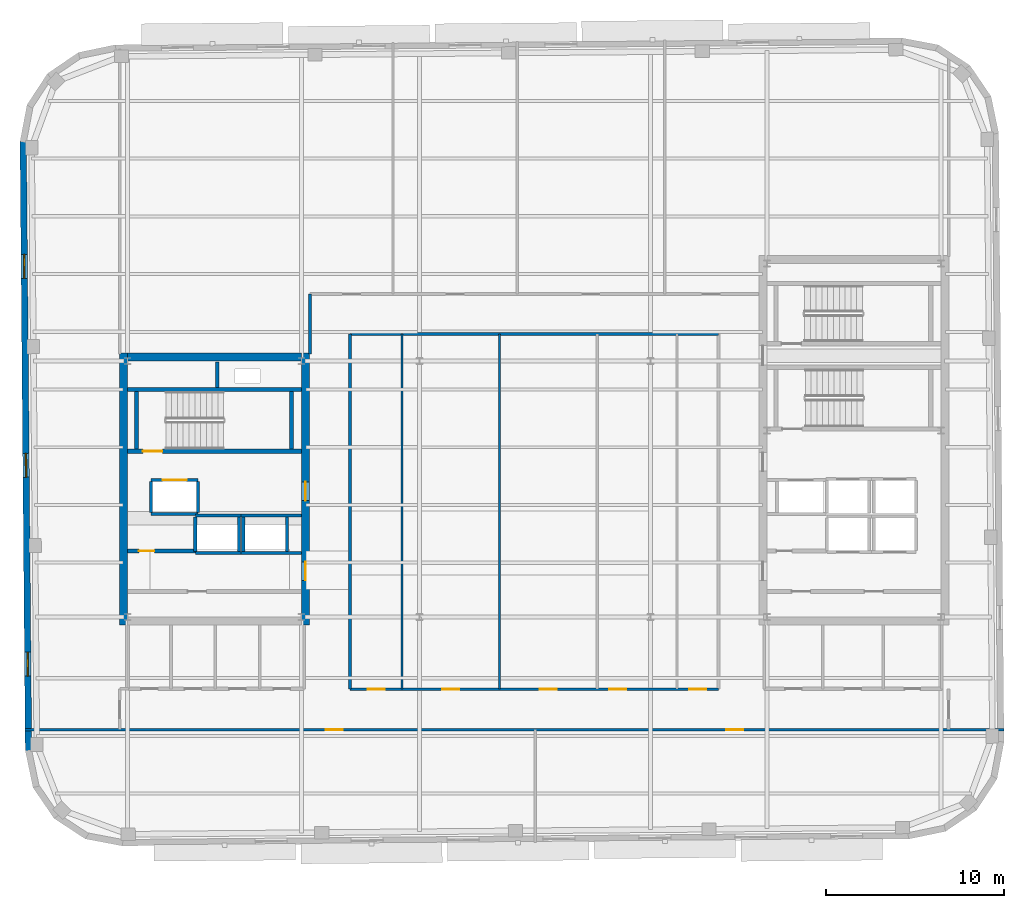
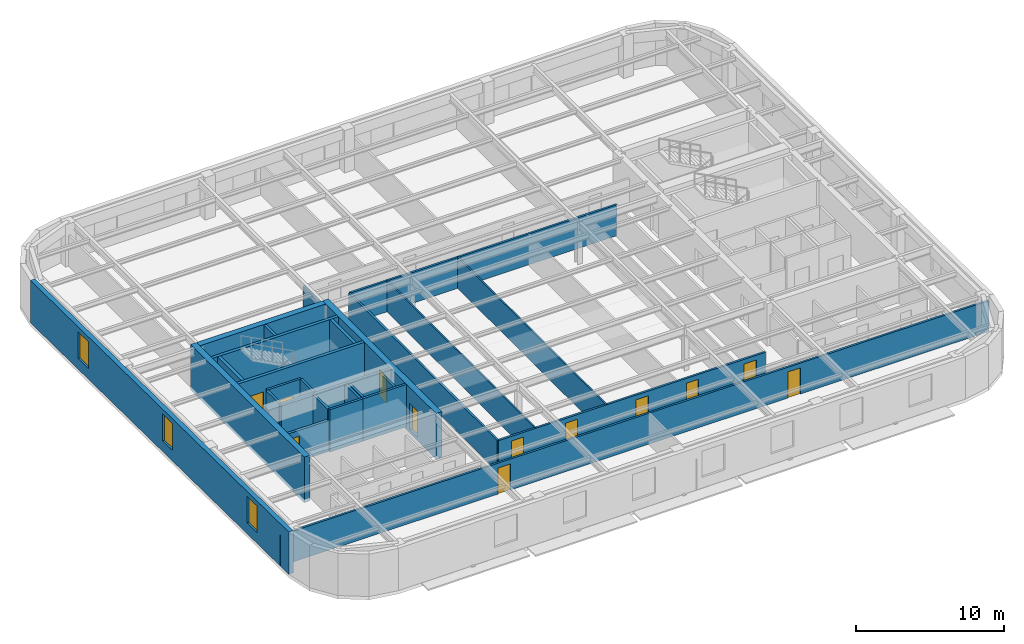
# One storey, part 7 of 14: 29 walls, 12 doors, 3 windows, 15 openings.
"""IFC4 building model written with IfcOpenShell, lengths in metres."""

from ifc_helpers import new_model, si_unit, direction, frame, frame_2d, origin, place, context, subcontext, project, spatial, rectangle, extrude, material, layer, layer_set, type_object, element, fill, save


model = new_model("IFC4")

# Units and contexts
model_context = context("Model", 3, precision=1e-05, world=origin(), true_north=direction((0.0, 1.0)))
body_context = subcontext(model_context, "Body", "Model", "MODEL_VIEW")
ifc_project = project(units=[si_unit("LENGTHUNIT", "METRE"), si_unit("AREAUNIT", "SQUARE_METRE"), si_unit("VOLUMEUNIT", "CUBIC_METRE"), si_unit("PLANEANGLEUNIT", "RADIAN"), si_unit("MASSUNIT", "GRAM", prefix="KILO")], contexts=[model_context])

# Site, building, storey
site_placement = place(None, origin())
site = spatial("IfcSite", under=ifc_project, at=site_placement, CompositionType="ELEMENT")
building_placement = place(site_placement, origin())
building = spatial("IfcBuilding", under=site, at=building_placement, Name="Kolvaren Arena Tower", CompositionType="ELEMENT")
storey_placement = place(building_placement, frame((0.0, 0.0, 297.39990234375)))
storey = spatial("IfcBuildingStorey", under=building, at=storey_placement, Name="L73", CompositionType="ELEMENT", Elevation=297.39990234375)

# Wall, openings, doors
ifc_material_1 = material(Name="Gypsum board acoustic assembly", Category="gypsum")
ifc_layer_1 = layer(ifc_material_1, 0.159912109375)
ifc_layer_set_1 = layer_set([ifc_layer_1], Name="Gypsum board acoustic assembly")
wall_type_1 = type_object("IfcWallType", Name="CORR-160", PredefinedType="PARTITIONING", material=ifc_layer_set_1)
wall_1_placement = place(storey_placement, frame((8.790283203125, 13.10009765625, 0.0), z_axis=(0.0, 0.0, 1.0), x_axis=(1.0, 0.0, 0.0)))
wall_1 = element("IfcWall", 1, at=wall_1_placement, inside=storey, type_object=wall_type_1, Name="Interior Partition Wall (L73)", PredefinedType="PARTITIONING", context=body_context, shape_type="SweptSolid", body=[
    extrude(rectangle(XDim=55.10205078125, YDim=0.159912109375, at=frame_2d((27.551025390625, 0.0))), origin(), (0.0, 0.0, 1.0), 2.5400390625),
])
opening_1_placement = place(wall_1_placement, frame((16.934814453125, 0.0, 0.0)))
opening_1 = element("IfcOpeningElement", 2, at=opening_1_placement, cuts=wall_1, Name="Opening D05", PredefinedType="OPENING", context=body_context, shape_type="SweptSolid", body=[
    extrude(rectangle(XDim=0.949951171875, YDim=2.14990234375, at=frame_2d((0.47509765625, 1.074951171875))), frame((0.0, 0.08984375, 0.0), z_axis=(0.0, -1.0, 0.0), x_axis=(1.0, 0.0, 0.0)), (0.0, 0.0, 1.0), 0.179931640625),
])
opening_2_placement = place(wall_1_placement, frame((39.484619140625, 0.0, 0.0)))
opening_2 = element("IfcOpeningElement", 3, at=opening_2_placement, cuts=wall_1, Name="Opening D05", PredefinedType="OPENING", context=body_context, shape_type="SweptSolid", body=[
    extrude(rectangle(XDim=0.949951171875, YDim=2.14990234375, at=frame_2d((0.47509765625, 1.074951171875))), frame((0.0, 0.08984375, 0.0), z_axis=(0.0, -1.0, 0.0), x_axis=(1.0, 0.0, 0.0)), (0.0, 0.0, 1.0), 0.179931640625),
])
ifc_material_2 = material(Name="Solid-core oak acoustic office door", Category="wood")
door_type_1 = type_object("IfcDoorType", Name="DOOR-OF-095", OperationType="NOTDEFINED", PredefinedType="DOOR", material=ifc_material_2)
door_1_placement = place(opening_1_placement, origin())
door_1 = element("IfcDoor", 4, at=door_1_placement, inside=storey, type_object=door_type_1, Name="Tenant Reception Area Door (L73)", OperationType="SINGLE_SWING_LEFT", OverallHeight=2.14990234375, OverallWidth=0.949951171875, PredefinedType="DOOR", context=body_context, shape_type="SweptSolid", body=[
    extrude(rectangle(XDim=0.949951171875, YDim=2.14990234375, at=frame_2d((0.47509765625, 1.074951171875))), frame((0.0, 0.02490234375, 0.0), z_axis=(0.0, -1.0, 0.0), x_axis=(1.0, 0.0, 0.0)), (0.0, 0.0, 1.0), 0.050048828125),
])
fill(opening_1, door_1)
door_2_placement = place(opening_2_placement, origin())
door_2 = element("IfcDoor", 5, at=door_2_placement, inside=storey, type_object=door_type_1, Name="Collaborative Work Studio Door (L73)", OperationType="SINGLE_SWING_RIGHT", OverallHeight=2.14990234375, OverallWidth=0.949951171875, PredefinedType="DOOR", context=body_context, shape_type="SweptSolid", body=[
    extrude(rectangle(XDim=0.949951171875, YDim=2.14990234375, at=frame_2d((0.47509765625, 1.074951171875))), frame((0.0, 0.02490234375, 0.0), z_axis=(0.0, -1.0, 0.0), x_axis=(1.0, 0.0, 0.0)), (0.0, 0.0, 1.0), 0.050048828125),
])
fill(opening_2, door_2)

# Wall
wall_2_placement = place(storey_placement, frame((24.820068359375, 34.25, 0.0), z_axis=(0.0, 0.0, 1.0), x_axis=(0.0, 1.0, 0.0)))
element("IfcWall", 6, at=wall_2_placement, inside=storey, type_object=wall_type_1, Name="Interior Partition Wall (L73)", PredefinedType="PARTITIONING", context=body_context, shape_type="SweptSolid", body=[
    extrude(rectangle(XDim=3.3701171875, YDim=0.159912109375, at=frame_2d((1.68505859375, 0.0))), origin(), (0.0, 0.0, 1.0), 2.5400390625),
])

# Wall, openings, doors
wall_3_placement = place(storey_placement, frame((27.080078125, 15.3798828125, 0.0), z_axis=(0.0, 0.0, 1.0), x_axis=(1.0, 0.0, 0.0)))
wall_3 = element("IfcWall", 7, at=wall_3_placement, inside=storey, type_object=wall_type_1, Name="Interior Partition Wall (L73)", PredefinedType="PARTITIONING", context=body_context, shape_type="SweptSolid", body=[
    extrude(rectangle(XDim=20.739990234375, YDim=0.159912109375, at=frame_2d((10.3701171875, 0.0))), origin(), (0.0, 0.0, 1.0), 2.5400390625),
])
opening_3_placement = place(wall_3_placement, frame((0.9951171875, 0.0, 0.0)))
opening_3 = element("IfcOpeningElement", 8, at=opening_3_placement, cuts=wall_3, Name="Opening D05", PredefinedType="OPENING", context=body_context, shape_type="SweptSolid", body=[
    extrude(rectangle(XDim=0.949951171875, YDim=2.14990234375, at=frame_2d((0.47509765625, 1.074951171875))), frame((0.0, 0.08984375, 0.0), z_axis=(0.0, -1.0, 0.0), x_axis=(1.0, 0.0, 0.0)), (0.0, 0.0, 1.0), 0.179931640625),
])
opening_4_placement = place(wall_3_placement, frame((5.195068359375, 0.0, 0.0)))
opening_4 = element("IfcOpeningElement", 9, at=opening_4_placement, cuts=wall_3, Name="Opening D05", PredefinedType="OPENING", context=body_context, shape_type="SweptSolid", body=[
    extrude(rectangle(XDim=0.949951171875, YDim=2.14990234375, at=frame_2d((0.47509765625, 1.074951171875))), frame((0.0, 0.08984375, 0.0), z_axis=(0.0, -1.0, 0.0), x_axis=(1.0, 0.0, 0.0)), (0.0, 0.0, 1.0), 0.179931640625),
])
opening_5_placement = place(wall_3_placement, frame((10.695068359375, 0.0, 0.0)))
opening_5 = element("IfcOpeningElement", 10, at=opening_5_placement, cuts=wall_3, Name="Opening D05", PredefinedType="OPENING", context=body_context, shape_type="SweptSolid", body=[
    extrude(rectangle(XDim=0.949951171875, YDim=2.14990234375, at=frame_2d((0.47509765625, 1.074951171875))), frame((0.0, 0.08984375, 0.0), z_axis=(0.0, -1.0, 0.0), x_axis=(1.0, 0.0, 0.0)), (0.0, 0.0, 1.0), 0.179931640625),
])
opening_6_placement = place(wall_3_placement, frame((14.594970703125, 0.0, 0.0)))
opening_6 = element("IfcOpeningElement", 11, at=opening_6_placement, cuts=wall_3, Name="Opening D05", PredefinedType="OPENING", context=body_context, shape_type="SweptSolid", body=[
    extrude(rectangle(XDim=0.949951171875, YDim=2.14990234375, at=frame_2d((0.47509765625, 1.074951171875))), frame((0.0, 0.08984375, 0.0), z_axis=(0.0, -1.0, 0.0), x_axis=(1.0, 0.0, 0.0)), (0.0, 0.0, 1.0), 0.179931640625),
])
opening_7_placement = place(wall_3_placement, frame((19.094970703125, 0.0, 0.0)))
opening_7 = element("IfcOpeningElement", 12, at=opening_7_placement, cuts=wall_3, Name="Opening D05", PredefinedType="OPENING", context=body_context, shape_type="SweptSolid", body=[
    extrude(rectangle(XDim=0.949951171875, YDim=2.14990234375, at=frame_2d((0.47509765625, 1.074951171875))), frame((0.0, 0.08984375, 0.0), z_axis=(0.0, -1.0, 0.0), x_axis=(1.0, 0.0, 0.0)), (0.0, 0.0, 1.0), 0.179931640625),
])
door_3_placement = place(opening_3_placement, origin())
door_3 = element("IfcDoor", 13, at=door_3_placement, inside=storey, type_object=door_type_1, Name="Tenant Reception Area Door (L73)", OperationType="SINGLE_SWING_LEFT", OverallHeight=2.14990234375, OverallWidth=0.949951171875, PredefinedType="DOOR", context=body_context, shape_type="SweptSolid", body=[
    extrude(rectangle(XDim=0.949951171875, YDim=2.14990234375, at=frame_2d((0.47509765625, 1.074951171875))), frame((0.0, 0.02490234375, 0.0), z_axis=(0.0, -1.0, 0.0), x_axis=(1.0, 0.0, 0.0)), (0.0, 0.0, 1.0), 0.050048828125),
])
fill(opening_3, door_3)
door_4_placement = place(opening_4_placement, origin())
door_4 = element("IfcDoor", 14, at=door_4_placement, inside=storey, type_object=door_type_1, Name="Collaborative Work Studio Door (L73)", OperationType="SINGLE_SWING_RIGHT", OverallHeight=2.14990234375, OverallWidth=0.949951171875, PredefinedType="DOOR", context=body_context, shape_type="SweptSolid", body=[
    extrude(rectangle(XDim=0.949951171875, YDim=2.14990234375, at=frame_2d((0.47509765625, 1.074951171875))), frame((0.0, 0.02490234375, 0.0), z_axis=(0.0, -1.0, 0.0), x_axis=(1.0, 0.0, 0.0)), (0.0, 0.0, 1.0), 0.050048828125),
])
fill(opening_4, door_4)
door_5_placement = place(opening_5_placement, origin())
door_5 = element("IfcDoor", 15, at=door_5_placement, inside=storey, type_object=door_type_1, Name="Open Plan Office Door (L73)", OperationType="SINGLE_SWING_LEFT", OverallHeight=2.14990234375, OverallWidth=0.949951171875, PredefinedType="DOOR", context=body_context, shape_type="SweptSolid", body=[
    extrude(rectangle(XDim=0.949951171875, YDim=2.14990234375, at=frame_2d((0.47509765625, 1.074951171875))), frame((0.0, 0.02490234375, 0.0), z_axis=(0.0, -1.0, 0.0), x_axis=(1.0, 0.0, 0.0)), (0.0, 0.0, 1.0), 0.050048828125),
])
fill(opening_5, door_5)
door_6_placement = place(opening_6_placement, origin())
door_6 = element("IfcDoor", 16, at=door_6_placement, inside=storey, type_object=door_type_1, Name="Wellness Room Door (L73)", OperationType="SINGLE_SWING_RIGHT", OverallHeight=2.14990234375, OverallWidth=0.949951171875, PredefinedType="DOOR", context=body_context, shape_type="SweptSolid", body=[
    extrude(rectangle(XDim=0.949951171875, YDim=2.14990234375, at=frame_2d((0.47509765625, 1.074951171875))), frame((0.0, 0.02490234375, 0.0), z_axis=(0.0, -1.0, 0.0), x_axis=(1.0, 0.0, 0.0)), (0.0, 0.0, 1.0), 0.050048828125),
])
fill(opening_6, door_6)
door_7_placement = place(opening_7_placement, origin())
door_7 = element("IfcDoor", 17, at=door_7_placement, inside=storey, type_object=door_type_1, Name="Boardroom Door (L73)", OperationType="SINGLE_SWING_LEFT", OverallHeight=2.14990234375, OverallWidth=0.949951171875, PredefinedType="DOOR", context=body_context, shape_type="SweptSolid", body=[
    extrude(rectangle(XDim=0.949951171875, YDim=2.14990234375, at=frame_2d((0.47509765625, 1.074951171875))), frame((0.0, 0.02490234375, 0.0), z_axis=(0.0, -1.0, 0.0), x_axis=(1.0, 0.0, 0.0)), (0.0, 0.0, 1.0), 0.050048828125),
])
fill(opening_7, door_7)

# Walls
wall_4_placement = place(storey_placement, frame((27.080078125, 35.3798828125, 0.0), z_axis=(0.0, 0.0, 1.0), x_axis=(1.0, 0.0, 0.0)))
element("IfcWall", 18, at=wall_4_placement, inside=storey, type_object=wall_type_1, Name="Interior Partition Wall (L73)", PredefinedType="PARTITIONING", context=body_context, shape_type="SweptSolid", body=[
    extrude(rectangle(XDim=20.739990234375, YDim=0.159912109375, at=frame_2d((10.3701171875, 0.0))), origin(), (0.0, 0.0, 1.0), 2.5400390625),
])
wall_5_placement = place(storey_placement, frame((27.080078125, 15.3798828125, 0.0), z_axis=(0.0, 0.0, 1.0), x_axis=(0.0, 1.0, 0.0)))
element("IfcWall", 19, at=wall_5_placement, inside=storey, type_object=wall_type_1, Name="Interior Partition Wall (L73)", PredefinedType="PARTITIONING", context=body_context, shape_type="SweptSolid", body=[
    extrude(rectangle(XDim=20.0, YDim=0.159912109375, at=frame_2d((10.0, 0.0))), origin(), (0.0, 0.0, 1.0), 2.5400390625),
])
ifc_material_3 = material(Name="Concrete 55 MPa", Category="concrete")
ifc_layer_2 = layer(ifc_material_3, 0.449951171875)
ifc_layer_set_2 = layer_set([ifc_layer_2], Name="Concrete 55 MPa")
wall_type_2 = type_object("IfcWallType", Name="CWALL-450", PredefinedType="SHEAR", material=ifc_layer_set_2)
wall_6_placement = place(storey_placement, frame((14.324951171875, 19.0, -0.27001953125), z_axis=(0.0, 0.0, 1.0), x_axis=(0.0, 1.0, 0.0)))
element("IfcWall", 20, at=wall_6_placement, inside=storey, type_object=wall_type_2, Name="Core Shear Wall WC-WEST (L73)", PredefinedType="SHEAR", context=body_context, shape_type="SweptSolid", body=[
    extrude(rectangle(XDim=15.300048828125, YDim=0.449951171875, at=frame_2d((7.64990234375, 0.0))), origin(), (0.0, 0.0, 1.0), 3.75),
])

# Wall, openings, doors
wall_7_placement = place(storey_placement, frame((24.574951171875, 19.0, -0.27001953125), z_axis=(0.0, 0.0, 1.0), x_axis=(0.0, 1.0, 0.0)))
wall_7 = element("IfcWall", 21, at=wall_7_placement, inside=storey, type_object=wall_type_2, Name="Core Shear Wall WC-EAST (L73)", PredefinedType="SHEAR", context=body_context, shape_type="SweptSolid", body=[
    extrude(rectangle(XDim=15.300048828125, YDim=0.449951171875, at=frame_2d((7.64990234375, 0.0))), origin(), (0.0, 0.0, 1.0), 3.75),
])
opening_8_placement = place(wall_7_placement, frame((2.5, 0.0, 0.27001953125)))
opening_8 = element("IfcOpeningElement", 22, at=opening_8_placement, cuts=wall_7, Name="Opening D04", PredefinedType="OPENING", context=body_context, shape_type="SweptSolid", body=[
    extrude(rectangle(XDim=1.050048828125, YDim=2.14990234375, at=frame_2d((0.52490234375, 1.074951171875))), frame((0.0, 0.23486328125, 0.0), z_axis=(0.0, -1.0, 0.0), x_axis=(1.0, 0.0, 0.0)), (0.0, 0.0, 1.0), 0.469970703125),
])
opening_9_placement = place(wall_7_placement, frame((7.0, 0.0, 0.27001953125)))
opening_9 = element("IfcOpeningElement", 23, at=opening_9_placement, cuts=wall_7, Name="Opening D04", PredefinedType="OPENING", context=body_context, shape_type="SweptSolid", body=[
    extrude(rectangle(XDim=1.050048828125, YDim=2.14990234375, at=frame_2d((0.52490234375, 1.074951171875))), frame((0.0, 0.23486328125, 0.0), z_axis=(0.0, -1.0, 0.0), x_axis=(1.0, 0.0, 0.0)), (0.0, 0.0, 1.0), 0.469970703125),
])
ifc_material_4 = material(Name="Fire-rated steel lobby door", Category="steel")
door_type_2 = type_object("IfcDoorType", Name="DOOR-FF-105", OperationType="NOTDEFINED", PredefinedType="DOOR", material=ifc_material_4)
door_8_placement = place(opening_8_placement, origin())
door_8 = element("IfcDoor", 24, at=door_8_placement, inside=storey, type_object=door_type_2, Name="West Lift Lobby Fire Door (L73)", OperationType="SINGLE_SWING_LEFT", OverallHeight=2.14990234375, OverallWidth=1.050048828125, PredefinedType="DOOR", context=body_context, shape_type="SweptSolid", body=[
    extrude(rectangle(XDim=1.050048828125, YDim=2.14990234375, at=frame_2d((0.52490234375, 1.074951171875))), frame((0.0, 0.02490234375, 0.0), z_axis=(0.0, -1.0, 0.0), x_axis=(1.0, 0.0, 0.0)), (0.0, 0.0, 1.0), 0.050048828125),
])
fill(opening_8, door_8)
door_9_placement = place(opening_9_placement, origin())
door_9 = element("IfcDoor", 25, at=door_9_placement, inside=storey, type_object=door_type_2, Name="West Firefighter Vestibule Door (L73)", OperationType="SINGLE_SWING_RIGHT", OverallHeight=2.14990234375, OverallWidth=1.050048828125, PredefinedType="DOOR", context=body_context, shape_type="SweptSolid", body=[
    extrude(rectangle(XDim=1.050048828125, YDim=2.14990234375, at=frame_2d((0.52490234375, 1.074951171875))), frame((0.0, 0.02490234375, 0.0), z_axis=(0.0, -1.0, 0.0), x_axis=(1.0, 0.0, 0.0)), (0.0, 0.0, 1.0), 0.050048828125),
])
fill(opening_9, door_9)

# Wall
wall_8_placement = place(storey_placement, frame((14.550048828125, 34.074951171875, -0.27001953125), z_axis=(0.0, 0.0, 1.0), x_axis=(1.0, 0.0, 0.0)))
element("IfcWall", 26, at=wall_8_placement, inside=storey, type_object=wall_type_2, Name="Core Shear Wall WC-NORTH (L73)", PredefinedType="SHEAR", context=body_context, shape_type="SweptSolid", body=[
    extrude(rectangle(XDim=9.800048828125, YDim=0.449951171875, at=frame_2d((4.89990234375, 0.0))), origin(), (0.0, 0.0, 1.0), 3.75),
])

# Wall, openings, windows
ifc_material_5 = material(Name="Precast concrete C50/60", Category="concrete")
ifc_layer_3 = layer(ifc_material_5, 0.360107421875)
ifc_layer_set_3 = layer_set([ifc_layer_3], Name="Precast concrete C50/60")
wall_type_3 = type_object("IfcWallType", Name="EXT-PIER2", PredefinedType="SOLIDWALL", material=ifc_layer_set_3)
wall_9_placement = place(storey_placement, frame((8.980712890625, 11.911865234375, 0.0), z_axis=(0.0, 0.0, 1.0), x_axis=(-0.008726453825, 0.999961923777, 0.0)))
wall_9 = element("IfcWall", 27, at=wall_9_placement, inside=storey, type_object=wall_type_3, Name="Exterior Precast Masonry-Frame Wall (L73)", PredefinedType="SOLIDWALL", context=body_context, shape_type="SweptSolid", body=[
    extrude(rectangle(XDim=34.2998046875, YDim=0.360107421875, at=frame_2d((17.14990234375, 0.0))), origin(), (0.0, 0.0, 1.0), 3.47998046875),
])
opening_10_placement = place(wall_9_placement, frame((4.199951171875, 0.0, 0.8798828125)))
opening_10 = element("IfcOpeningElement", 28, at=opening_10_placement, cuts=wall_9, Name="Opening W04", PredefinedType="OPENING", context=body_context, shape_type="SweptSolid", body=[
    extrude(rectangle(XDim=1.35009765625, YDim=2.199951171875, at=frame_2d((0.675048828125, 1.10009765625))), frame((0.0, 0.18994140625, 0.0), z_axis=(0.0, -1.0, 0.0), x_axis=(1.0, 0.0, 0.0)), (0.0, 0.0, 1.0), 0.380126953125),
])
opening_11_placement = place(wall_9_placement, frame((15.39990234375, 0.0, 0.8798828125)))
opening_11 = element("IfcOpeningElement", 29, at=opening_11_placement, cuts=wall_9, Name="Opening W04", PredefinedType="OPENING", context=body_context, shape_type="SweptSolid", body=[
    extrude(rectangle(XDim=1.35009765625, YDim=2.199951171875, at=frame_2d((0.675048828125, 1.10009765625))), frame((0.0, 0.18994140625, 0.0), z_axis=(0.0, -1.0, 0.0), x_axis=(1.0, 0.0, 0.0)), (0.0, 0.0, 1.0), 0.380126953125),
])
opening_12_placement = place(wall_9_placement, frame((26.60009765625, 0.0, 0.8798828125)))
opening_12 = element("IfcOpeningElement", 30, at=opening_12_placement, cuts=wall_9, Name="Opening W04", PredefinedType="OPENING", context=body_context, shape_type="SweptSolid", body=[
    extrude(rectangle(XDim=1.35009765625, YDim=2.199951171875, at=frame_2d((0.675048828125, 1.10009765625))), frame((0.0, 0.18994140625, 0.0), z_axis=(0.0, -1.0, 0.0), x_axis=(1.0, 0.0, 0.0)), (0.0, 0.0, 1.0), 0.380126953125),
])
ifc_material_6 = material(Name="Triple-glazed curved-facet corner window", Category="glass")
window_type = type_object("IfcWindowType", Name="WIN-CRN-A", PartitioningType="SINGLE_PANEL", PredefinedType="WINDOW", material=ifc_material_6)
window_1_placement = place(opening_10_placement, origin())
window_1 = element("IfcWindow", 31, at=window_1_placement, inside=storey, type_object=window_type, Name="End-Wall Punched Window (L73)", OverallHeight=2.199951171875, OverallWidth=1.35009765625, PartitioningType="SINGLE_PANEL", PredefinedType="WINDOW", context=body_context, shape_type="SweptSolid", body=[
    extrude(rectangle(XDim=1.35009765625, YDim=2.199951171875, at=frame_2d((0.675048828125, 1.10009765625))), frame((0.0, 0.030029296875, 0.0), z_axis=(0.0, -1.0, 0.0), x_axis=(1.0, 0.0, 0.0)), (0.0, 0.0, 1.0), 0.06005859375),
])
fill(opening_10, window_1)
window_2_placement = place(opening_11_placement, origin())
window_2 = element("IfcWindow", 32, at=window_2_placement, inside=storey, type_object=window_type, Name="End-Wall Punched Window (L73)", OverallHeight=2.199951171875, OverallWidth=1.35009765625, PartitioningType="SINGLE_PANEL", PredefinedType="WINDOW", context=body_context, shape_type="SweptSolid", body=[
    extrude(rectangle(XDim=1.35009765625, YDim=2.199951171875, at=frame_2d((0.675048828125, 1.10009765625))), frame((0.0, 0.030029296875, 0.0), z_axis=(0.0, -1.0, 0.0), x_axis=(1.0, 0.0, 0.0)), (0.0, 0.0, 1.0), 0.06005859375),
])
fill(opening_11, window_2)
window_3_placement = place(opening_12_placement, origin())
window_3 = element("IfcWindow", 33, at=window_3_placement, inside=storey, type_object=window_type, Name="End-Wall Punched Window (L73)", OverallHeight=2.199951171875, OverallWidth=1.35009765625, PartitioningType="SINGLE_PANEL", PredefinedType="WINDOW", context=body_context, shape_type="SweptSolid", body=[
    extrude(rectangle(XDim=1.35009765625, YDim=2.199951171875, at=frame_2d((0.675048828125, 1.10009765625))), frame((0.0, 0.030029296875, 0.0), z_axis=(0.0, -1.0, 0.0), x_axis=(1.0, 0.0, 0.0)), (0.0, 0.0, 1.0), 0.06005859375),
])
fill(opening_12, window_3)

# Wall, opening, door
ifc_material_7 = material(Name="Concrete 40 MPa", Category="concrete")
ifc_layer_4 = layer(ifc_material_7, 0.199951171875)
ifc_layer_set_4 = layer_set([ifc_layer_4], Name="Concrete 40 MPa")
wall_type_4 = type_object("IfcWallType", Name="LOBBY-200", PredefinedType="SOLIDWALL", material=ifc_layer_set_4)
wall_10_placement = place(storey_placement, frame((14.550048828125, 23.159912109375, 0.0), z_axis=(0.0, 0.0, 1.0), x_axis=(1.0, 0.0, 0.0)))
wall_10 = element("IfcWall", 34, at=wall_10_placement, inside=storey, type_object=wall_type_4, Name="Core Shaft Wall (L73)", PredefinedType="SOLIDWALL", context=body_context, shape_type="SweptSolid", body=[
    extrude(rectangle(XDim=3.820068359375, YDim=0.199951171875, at=frame_2d((1.91015625, 0.0))), origin(), (0.0, 0.0, 1.0), 2.5400390625),
])
opening_13_placement = place(wall_10_placement, frame((0.64990234375, 0.0, 0.0)))
opening_13 = element("IfcOpeningElement", 35, at=opening_13_placement, cuts=wall_10, Name="Opening D09", PredefinedType="OPENING", context=body_context, shape_type="SweptSolid", body=[
    extrude(rectangle(XDim=0.860107421875, YDim=2.050048828125, at=frame_2d((0.43017578125, 1.02490234375))), frame((0.0, 0.10986328125, 0.0), z_axis=(0.0, -1.0, 0.0), x_axis=(1.0, 0.0, 0.0)), (0.0, 0.0, 1.0), 0.219970703125),
])
ifc_material_8 = material(Name="Fire-rated steel riser access door", Category="steel")
door_type_3 = type_object("IfcDoorType", Name="DOOR-RS-086", OperationType="NOTDEFINED", PredefinedType="DOOR", material=ifc_material_8)
door_10_placement = place(opening_13_placement, origin())
door_10 = element("IfcDoor", 36, at=door_10_placement, inside=storey, type_object=door_type_3, Name="West Document Archive Riser Door (L73)", OperationType="SINGLE_SWING_RIGHT", OverallHeight=2.050048828125, OverallWidth=0.860107421875, PredefinedType="DOOR", context=body_context, shape_type="SweptSolid", body=[
    extrude(rectangle(XDim=0.860107421875, YDim=2.050048828125, at=frame_2d((0.43017578125, 1.02490234375))), frame((0.0, 0.02490234375, 0.0), z_axis=(0.0, -1.0, 0.0), x_axis=(1.0, 0.0, 0.0)), (0.0, 0.0, 1.0), 0.050048828125),
])
fill(opening_13, door_10)

# Walls
ifc_material_9 = material(Name="Gypsum board partition assembly", Category="gypsum")
ifc_layer_5 = layer(ifc_material_9, 0.114990234375)
ifc_layer_set_5 = layer_set([ifc_layer_5], Name="Gypsum board partition assembly")
wall_type_5 = type_object("IfcWallType", Name="PART-115", PredefinedType="PARTITIONING", material=ifc_layer_set_5)
for number, where, z_axis, x_axis, name in (
    (37, (30.0, 15.3798828125, 0.0), (0.0, 0.0, 1.0), (0.0, 1.0, 0.0), "Interior Partition Wall (L73)"),
    (38, (35.5, 15.3798828125, 0.0), (0.0, 0.0, 1.0), (0.0, 1.0, 0.0), "Interior Partition Wall (L73)"),
):
    element("IfcWall", number, at=place(storey_placement, frame(where, z_axis=z_axis, x_axis=x_axis)), inside=storey, type_object=wall_type_5, Name=name, PredefinedType="PARTITIONING", context=body_context, shape_type="SweptSolid", body=[
        extrude(rectangle(XDim=20.0, YDim=0.114990234375, at=frame_2d((10.0, 0.0))), origin(), (0.0, 0.0, 1.0), 2.5400390625),
    ])

# Wall, opening, door
ifc_material_10 = material(Name="Concrete 45 MPa", Category="concrete")
ifc_layer_6 = layer(ifc_material_10, 0.25)
ifc_layer_set_6 = layer_set([ifc_layer_6], Name="Concrete 45 MPa")
wall_type_6 = type_object("IfcWallType", Name="SHAFT-250", PredefinedType="SOLIDWALL", material=ifc_layer_set_6)
wall_11_placement = place(storey_placement, frame((24.35009765625, 28.780029296875, 0.0), z_axis=(0.0, 0.0, 1.0), x_axis=(-1.0, 0.0, 0.0)))
wall_11 = element("IfcWall", 39, at=wall_11_placement, inside=storey, type_object=wall_type_6, Name="Core Shaft Wall (L73)", PredefinedType="SOLIDWALL", context=body_context, shape_type="SweptSolid", body=[
    extrude(rectangle(XDim=9.800048828125, YDim=0.239990234375, at=frame_2d((4.89990234375, 0.0))), origin(), (0.0, 0.0, 1.0), 3.47998046875),
])
opening_14_placement = place(wall_11_placement, frame((7.830078125, 0.0, 0.0)))
opening_14 = element("IfcOpeningElement", 40, at=opening_14_placement, cuts=wall_11, Name="Opening D03", PredefinedType="OPENING", context=body_context, shape_type="SweptSolid", body=[
    extrude(rectangle(XDim=1.10009765625, YDim=2.14990234375, at=frame_2d((0.550048828125, 1.074951171875))), frame((0.0, 0.1298828125, 0.0), z_axis=(0.0, -1.0, 0.0), x_axis=(1.0, 0.0, 0.0)), (0.0, 0.0, 1.0), 0.260009765625),
])
ifc_material_11 = material(Name="Fire-rated steel exit stair door", Category="steel")
door_type_4 = type_object("IfcDoorType", Name="DOOR-ST-110", OperationType="NOTDEFINED", PredefinedType="DOOR", material=ifc_material_11)
door_11_placement = place(opening_14_placement, origin())
door_11 = element("IfcDoor", 41, at=door_11_placement, inside=storey, type_object=door_type_4, Name="Stair ST-W1 Fire Door (L73)", OperationType="SINGLE_SWING_RIGHT", OverallHeight=2.14990234375, OverallWidth=1.10009765625, PredefinedType="DOOR", context=body_context, shape_type="SweptSolid", body=[
    extrude(rectangle(XDim=1.10009765625, YDim=2.14990234375, at=frame_2d((0.550048828125, 1.074951171875))), frame((0.0, 0.02490234375, 0.0), z_axis=(0.0, -1.0, 0.0), x_axis=(1.0, 0.0, 0.0)), (0.0, 0.0, 1.0), 0.050048828125),
])
fill(opening_14, door_11)

# Walls
wall_12_placement = place(storey_placement, frame((14.550048828125, 32.25, 0.0), z_axis=(0.0, 0.0, 1.0), x_axis=(1.0, 0.0, 0.0)))
element("IfcWall", 42, at=wall_12_placement, inside=storey, type_object=wall_type_6, Name="Core Shaft Wall (L73)", PredefinedType="SOLIDWALL", context=body_context, shape_type="SweptSolid", body=[
    extrude(rectangle(XDim=9.800048828125, YDim=0.239990234375, at=frame_2d((4.89990234375, 0.0))), origin(), (0.0, 0.0, 1.0), 3.47998046875),
])
for number, where, z_axis, x_axis, name in (
    (43, (15.06005859375, 28.89990234375, 0.0), (0.0, 0.0, 1.0), (0.0, 1.0, 0.0), "Core Shaft Wall (L73)"),
    (44, (23.780029296875, 28.89990234375, 0.0), (0.0, 0.0, 1.0), (0.0, 1.0, 0.0), "Core Shaft Wall (L73)"),
):
    element("IfcWall", number, at=place(storey_placement, frame(where, z_axis=z_axis, x_axis=x_axis)), inside=storey, type_object=wall_type_6, Name=name, PredefinedType="SOLIDWALL", context=body_context, shape_type="SweptSolid", body=[
        extrude(rectangle(XDim=3.22998046875, YDim=0.239990234375, at=frame_2d((1.614990234375, 0.0))), origin(), (0.0, 0.0, 1.0), 3.47998046875),
    ])
wall_13_placement = place(storey_placement, frame((19.60009765625, 32.3701171875, 0.0), z_axis=(0.0, 0.0, 1.0), x_axis=(0.0, 1.0, 0.0)))
element("IfcWall", 45, at=wall_13_placement, inside=storey, type_object=wall_type_6, Name="Core Shaft Wall (L73)", PredefinedType="SOLIDWALL", context=body_context, shape_type="SweptSolid", body=[
    extrude(rectangle(XDim=1.429931640625, YDim=0.199951171875, at=frame_2d((0.71484375, 0.0))), origin(), (0.0, 0.0, 1.0), 3.47998046875),
])
for number, where, z_axis, x_axis, name in (
    (46, (18.3701171875, 25.155029296875, 0.0), (0.0, 0.0, 1.0), (1.0, 0.0, 0.0), "Core Shaft Wall (L73)"),
    (47, (18.3701171875, 23.044921875, 0.0), (0.0, 0.0, 1.0), (1.0, 0.0, 0.0), "Core Shaft Wall (L73)"),
):
    element("IfcWall", number, at=place(storey_placement, frame(where, z_axis=z_axis, x_axis=x_axis)), inside=storey, type_object=wall_type_6, Name=name, PredefinedType="SOLIDWALL", context=body_context, shape_type="SweptSolid", body=[
        extrude(rectangle(XDim=2.579833984375, YDim=0.179931640625, at=frame_2d((1.2900390625, 0.0))), origin(), (0.0, 0.0, 1.0), 3.47998046875),
    ])
for number, where, z_axis, x_axis, name in (
    (48, (18.3701171875, 23.135009765625, 0.0), (0.0, 0.0, 1.0), (0.0, 1.0, 0.0), "Core Shaft Wall (L73)"),
    (49, (20.830078125, 23.135009765625, 0.0), (0.0, 0.0, 1.0), (0.0, 1.0, 0.0), "Core Shaft Wall (L73)"),
):
    element("IfcWall", number, at=place(storey_placement, frame(where, z_axis=z_axis, x_axis=x_axis)), inside=storey, type_object=wall_type_6, Name=name, PredefinedType="SOLIDWALL", context=body_context, shape_type="SweptSolid", body=[
        extrude(rectangle(XDim=1.929931640625, YDim=0.179931640625, at=frame_2d((0.96484375, 0.0))), origin(), (0.0, 0.0, 1.0), 3.47998046875),
    ])
for number, where, z_axis, x_axis, name in (
    (50, (20.949951171875, 25.155029296875, 0.0), (0.0, 0.0, 1.0), (1.0, 0.0, 0.0), "Core Shaft Wall (L73)"),
    (51, (20.949951171875, 23.044921875, 0.0), (0.0, 0.0, 1.0), (1.0, 0.0, 0.0), "Core Shaft Wall (L73)"),
):
    element("IfcWall", number, at=place(storey_placement, frame(where, z_axis=z_axis, x_axis=x_axis)), inside=storey, type_object=wall_type_6, Name=name, PredefinedType="SOLIDWALL", context=body_context, shape_type="SweptSolid", body=[
        extrude(rectangle(XDim=3.400146484375, YDim=0.179931640625, at=frame_2d((1.7001953125, 0.0))), origin(), (0.0, 0.0, 1.0), 3.47998046875),
    ])
for number, where, z_axis, x_axis, name in (
    (52, (21.070068359375, 23.135009765625, 0.0), (0.0, 0.0, 1.0), (0.0, 1.0, 0.0), "Core Shaft Wall (L73)"),
    (53, (23.530029296875, 23.135009765625, 0.0), (0.0, 0.0, 1.0), (0.0, 1.0, 0.0), "Core Shaft Wall (L73)"),
):
    element("IfcWall", number, at=place(storey_placement, frame(where, z_axis=z_axis, x_axis=x_axis)), inside=storey, type_object=wall_type_6, Name=name, PredefinedType="SOLIDWALL", context=body_context, shape_type="SweptSolid", body=[
        extrude(rectangle(XDim=1.929931640625, YDim=0.179931640625, at=frame_2d((0.96484375, 0.0))), origin(), (0.0, 0.0, 1.0), 3.47998046875),
    ])

# Wall, opening, door
wall_14_placement = place(storey_placement, frame((15.8701171875, 27.155029296875, 0.0), z_axis=(0.0, 0.0, 1.0), x_axis=(1.0, 0.0, 0.0)))
wall_14 = element("IfcWall", 54, at=wall_14_placement, inside=storey, type_object=wall_type_6, Name="Core Shaft Wall (L73)", PredefinedType="SOLIDWALL", context=body_context, shape_type="SweptSolid", body=[
    extrude(rectangle(XDim=2.659912109375, YDim=0.179931640625, at=frame_2d((1.330078125, 0.0))), origin(), (0.0, 0.0, 1.0), 3.47998046875),
])
opening_15_placement = place(wall_14_placement, frame((0.655029296875, 0.0, 0.0)))
opening_15 = element("IfcOpeningElement", 55, at=opening_15_placement, cuts=wall_14, Name="Opening LD2", PredefinedType="OPENING", context=body_context, shape_type="SweptSolid", body=[
    extrude(rectangle(XDim=1.35009765625, YDim=2.300048828125, at=frame_2d((0.675048828125, 1.14990234375))), frame((0.0, 0.099853515625, 0.0), z_axis=(0.0, -1.0, 0.0), x_axis=(1.0, 0.0, 0.0)), (0.0, 0.0, 1.0), 0.199951171875),
])
ifc_material_12 = material(Name="Stainless steel firefighter lift landing door", Category="steel")
door_type_5 = type_object("IfcDoorType", Name="DOOR-LD-135", OperationType="DOUBLE_DOOR_SLIDING", PredefinedType="DOOR", material=ifc_material_12)
door_12_placement = place(opening_15_placement, origin())
door_12 = element("IfcDoor", 56, at=door_12_placement, inside=storey, type_object=door_type_5, Name="Firefighter Lift FF-W1 Landing Door (L73)", OperationType="DOUBLE_DOOR_SLIDING", OverallHeight=2.300048828125, OverallWidth=1.35009765625, PredefinedType="DOOR", context=body_context, shape_type="SweptSolid", body=[
    extrude(rectangle(XDim=1.35009765625, YDim=2.300048828125, at=frame_2d((0.675048828125, 1.14990234375))), frame((0.0, 0.02490234375, 0.0), z_axis=(0.0, -1.0, 0.0), x_axis=(1.0, 0.0, 0.0)), (0.0, 0.0, 1.0), 0.050048828125),
])
fill(opening_15, door_12)

# Walls
wall_15_placement = place(storey_placement, frame((15.8701171875, 25.2451171875, 0.0), z_axis=(0.0, 0.0, 1.0), x_axis=(1.0, 0.0, 0.0)))
element("IfcWall", 57, at=wall_15_placement, inside=storey, type_object=wall_type_6, Name="Core Shaft Wall (L73)", PredefinedType="SOLIDWALL", context=body_context, shape_type="SweptSolid", body=[
    extrude(rectangle(XDim=2.659912109375, YDim=0.179931640625, at=frame_2d((1.330078125, 0.0))), origin(), (0.0, 0.0, 1.0), 3.47998046875),
])
for number, where, z_axis, x_axis, name in (
    (58, (15.8701171875, 25.3349609375, 0.0), (0.0, 0.0, 1.0), (0.0, 1.0, 0.0), "Core Shaft Wall (L73)"),
    (59, (18.530029296875, 25.3349609375, 0.0), (0.0, 0.0, 1.0), (0.0, 1.0, 0.0), "Core Shaft Wall (L73)"),
):
    element("IfcWall", number, at=place(storey_placement, frame(where, z_axis=z_axis, x_axis=x_axis)), inside=storey, type_object=wall_type_6, Name=name, PredefinedType="SOLIDWALL", context=body_context, shape_type="SweptSolid", body=[
        extrude(rectangle(XDim=1.72998046875, YDim=0.179931640625, at=frame_2d((0.864990234375, 0.0))), origin(), (0.0, 0.0, 1.0), 3.47998046875),
    ])

save(model, "model.ifc")
